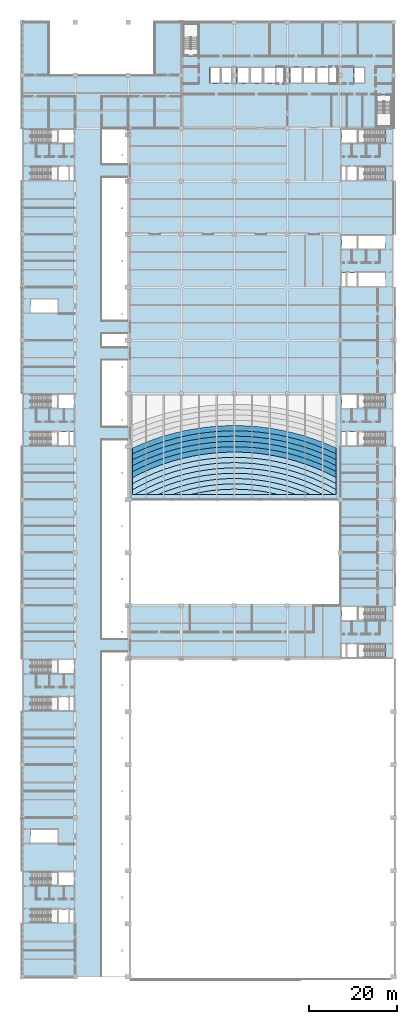
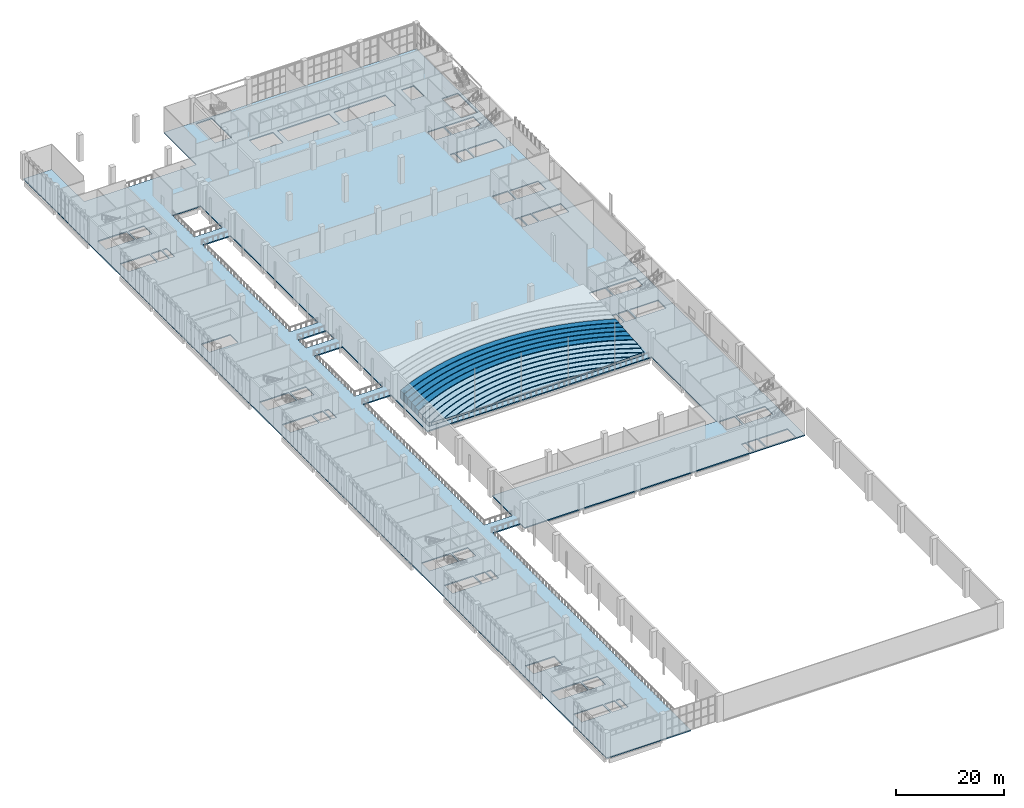
# One storey, part 44 of 72: 14 slabs.
"""IFC4 building model written with IfcOpenShell, lengths in metres."""

from ifc_helpers import new_model, si_unit, direction, frame, origin, place, context, subcontext, project, spatial, polyline, outline, extrude, material, layer, layer_set, type_object, element, save


model = new_model("IFC4")

# Units and contexts
model_context = context("Model", 3, precision=1e-05, world=origin(), true_north=direction((0.0, 1.0)))
body_context = subcontext(model_context, "Body", "Model", "MODEL_VIEW")
ifc_project = project(units=[si_unit("LENGTHUNIT", "METRE"), si_unit("AREAUNIT", "SQUARE_METRE"), si_unit("VOLUMEUNIT", "CUBIC_METRE"), si_unit("PLANEANGLEUNIT", "RADIAN"), si_unit("MASSUNIT", "GRAM", prefix="KILO")], contexts=[model_context])

# Site, building, storey
site_placement = place(None, origin())
site = spatial("IfcSite", under=ifc_project, at=site_placement, CompositionType="ELEMENT")
building_placement = place(site_placement, origin())
building = spatial("IfcBuilding", under=site, at=building_placement, Name="Lilac Gate Convention Centre", CompositionType="ELEMENT")
storey_placement = place(building_placement, frame((0.0, 0.0, 6.0)))
storey = spatial("IfcBuildingStorey", under=building, at=storey_placement, Name="L01", CompositionType="ELEMENT", Elevation=6.0)

# Slabs
ifc_material = material(Name="Concrete C40", Category="concrete")
ifc_layer_1 = layer(ifc_material, 0.25)
ifc_layer_set_1 = layer_set([ifc_layer_1], Name="Concrete C40")
slab_type_1 = type_object("IfcSlabType", Name="Floor slab 250 C40", PredefinedType="FLOOR", material=ifc_layer_set_1)
slab_1_placement = place(storey_placement, frame((0.0, 0.0, -0.25)))
element("IfcSlab", 1, at=slab_1_placement, inside=storey, type_object=slab_type_1, Name="FS2 slab L01 1", PredefinedType="FLOOR", context=body_context, shape_type="SweptSolid", body=[
    extrude(outline(polyline([(12.0, 246.0), (12.0, 234.0), (36.0, 234.0), (36.0, 246.0), (42.0, 246.0), (90.0, 246.0), (90.0, 222.0), (90.0, 198.0), (90.0, 162.0), (90.0, 114.0), (90.0, 102.0), (30.0, 102.0), (30.0, 103.5), (24.0, 103.5), (24.0, 30.0), (18.0, 30.0), (6.0, 30.0), (6.0, 222.0), (6.0, 246.0), (12.0, 246.0)]), holes=[polyline([(30.0, 138.0), (30.0, 151.5), (24.0, 151.5), (24.0, 106.5), (30.0, 106.5), (30.0, 114.0), (78.0, 114.0), (78.0, 138.0), (30.0, 138.0)]), polyline([(30.0, 154.5), (30.0, 162.0), (30.0, 169.5), (24.0, 169.5), (24.0, 154.5), (30.0, 154.5)]), polyline([(24.0, 213.89990234375), (30.0, 213.89990234375), (30.0, 222.0), (24.0, 222.0), (24.0, 213.89990234375)]), polyline([(30.0, 178.5), (30.0, 198.0), (30.0, 210.89990234375), (24.0, 210.89990234375), (24.0, 178.5), (30.0, 178.5)]), polyline([(30.0, 175.5), (24.0, 175.5), (24.0, 172.5), (30.0, 172.5), (30.0, 175.5)]), polyline([(14.0, 42.300048828125), (14.0, 45.300048828125), (7.820068359375, 45.300048828125), (7.820068359375, 42.300048828125), (14.0, 42.300048828125)]), polyline([(14.300048828125, 42.300048828125), (16.5, 42.300048828125), (16.5, 45.300048828125), (14.300048828125, 45.300048828125), (14.300048828125, 42.300048828125)]), polyline([(7.820068359375, 50.699951171875), (14.0, 50.699951171875), (14.0, 53.699951171875), (7.820068359375, 53.699951171875), (7.820068359375, 50.699951171875)]), polyline([(17.699951171875, 50.699951171875), (17.699951171875, 53.699951171875), (14.300048828125, 53.699951171875), (14.300048828125, 50.699951171875), (17.699951171875, 50.699951171875)]), polyline([(7.820068359375, 60.300048828125), (14.0, 60.300048828125), (14.0, 63.300048828125), (7.820068359375, 63.300048828125), (7.820068359375, 60.300048828125)]), polyline([(7.820068359375, 90.300048828125), (14.0, 90.300048828125), (14.0, 93.300048828125), (7.820068359375, 93.300048828125), (7.820068359375, 90.300048828125)]), polyline([(16.5, 90.300048828125), (16.5, 93.300048828125), (14.300048828125, 93.300048828125), (14.300048828125, 90.300048828125), (16.5, 90.300048828125)]), polyline([(7.820068359375, 98.699951171875), (14.0, 98.699951171875), (14.0, 101.699951171875), (7.820068359375, 101.699951171875), (7.820068359375, 98.699951171875)]), polyline([(14.300048828125, 98.699951171875), (17.699951171875, 98.699951171875), (17.699951171875, 101.699951171875), (14.300048828125, 101.699951171875), (14.300048828125, 98.699951171875)]), polyline([(7.820068359375, 150.300048828125), (14.0, 150.300048828125), (14.0, 153.300048828125), (7.820068359375, 153.300048828125), (7.820068359375, 150.300048828125)]), polyline([(14.300048828125, 150.300048828125), (16.5, 150.300048828125), (16.5, 153.300048828125), (14.300048828125, 153.300048828125), (14.300048828125, 150.300048828125)]), polyline([(14.300048828125, 158.699951171875), (17.699951171875, 158.699951171875), (17.699951171875, 161.699951171875), (14.300048828125, 161.699951171875), (14.300048828125, 158.699951171875)]), polyline([(7.820068359375, 158.699951171875), (14.0, 158.699951171875), (14.0, 161.699951171875), (7.820068359375, 161.699951171875), (7.820068359375, 158.699951171875)]), polyline([(14.0, 180.300048828125), (14.0, 183.300048828125), (7.820068359375, 183.300048828125), (7.820068359375, 180.300048828125), (14.0, 180.300048828125)]), polyline([(14.300048828125, 210.300048828125), (16.5, 210.300048828125), (16.5, 213.300048828125), (14.300048828125, 213.300048828125), (14.300048828125, 210.300048828125)]), polyline([(7.820068359375, 210.300048828125), (14.0, 210.300048828125), (14.0, 213.300048828125), (7.820068359375, 213.300048828125), (7.820068359375, 210.300048828125)]), polyline([(16.800048828125, 210.300048828125), (17.699951171875, 210.300048828125), (17.699951171875, 213.300048828125), (16.800048828125, 213.300048828125), (16.800048828125, 210.300048828125)]), polyline([(14.300048828125, 218.699951171875), (17.699951171875, 218.699951171875), (17.699951171875, 221.699951171875), (14.300048828125, 221.699951171875), (14.300048828125, 218.699951171875)]), polyline([(7.820068359375, 218.699951171875), (14.0, 218.699951171875), (14.0, 221.699951171875), (7.820068359375, 221.699951171875), (7.820068359375, 218.699951171875)]), polyline([(16.800048828125, 42.300048828125), (17.699951171875, 42.300048828125), (17.699951171875, 45.300048828125), (16.800048828125, 45.300048828125), (16.800048828125, 42.300048828125)]), polyline([(17.699951171875, 90.300048828125), (17.699951171875, 93.300048828125), (16.800048828125, 93.300048828125), (16.800048828125, 90.300048828125), (17.699951171875, 90.300048828125)]), polyline([(78.300048828125, 102.300048828125), (79.199951171875, 102.300048828125), (79.199951171875, 105.300048828125), (78.300048828125, 105.300048828125), (78.300048828125, 102.300048828125)]), polyline([(16.800048828125, 150.300048828125), (17.699951171875, 150.300048828125), (17.699951171875, 153.300048828125), (16.800048828125, 153.300048828125), (16.800048828125, 150.300048828125)]), polyline([(78.300048828125, 150.300048828125), (79.199951171875, 150.300048828125), (79.199951171875, 153.300048828125), (78.300048828125, 153.300048828125), (78.300048828125, 150.300048828125)]), polyline([(78.300048828125, 186.300048828125), (79.199951171875, 186.300048828125), (79.199951171875, 189.300048828125), (78.300048828125, 189.300048828125), (78.300048828125, 186.300048828125)]), polyline([(78.300048828125, 194.699951171875), (81.699951171875, 194.699951171875), (81.699951171875, 197.699951171875), (78.300048828125, 197.699951171875), (78.300048828125, 194.699951171875)]), polyline([(78.300048828125, 210.300048828125), (79.199951171875, 210.300048828125), (79.199951171875, 213.300048828125), (78.300048828125, 213.300048828125), (78.300048828125, 210.300048828125)]), polyline([(63.5, 235.89990234375), (60.5, 235.89990234375), (57.5, 235.89990234375), (54.5, 235.89990234375), (54.5, 232.10009765625), (57.5, 232.10009765625), (60.5, 232.10009765625), (63.5, 232.10009765625), (65.5, 232.10009765625), (65.5, 235.89990234375), (63.5, 235.89990234375)]), polyline([(75.5, 235.89990234375), (72.5, 235.89990234375), (69.5, 235.89990234375), (66.5, 235.89990234375), (66.5, 232.10009765625), (69.5, 232.10009765625), (72.5, 232.10009765625), (75.5, 232.10009765625), (77.5, 232.10009765625), (77.5, 235.89990234375), (75.5, 235.89990234375)]), polyline([(48.39990234375, 235.89990234375), (48.39990234375, 232.10009765625), (50.949951171875, 232.10009765625), (53.5, 232.10009765625), (53.5, 235.89990234375), (50.949951171875, 235.89990234375), (48.39990234375, 235.89990234375)]), polyline([(42.5, 238.300048828125), (46.0, 238.300048828125), (46.0, 245.5), (42.5, 245.5), (42.5, 238.300048828125)]), polyline([(79.5, 102.300048828125), (81.699951171875, 102.300048828125), (81.699951171875, 105.300048828125), (79.5, 105.300048828125), (79.5, 102.300048828125)]), polyline([(82.0, 102.300048828125), (88.179931640625, 102.300048828125), (88.179931640625, 105.300048828125), (82.0, 105.300048828125), (82.0, 102.300048828125)]), polyline([(78.300048828125, 110.699951171875), (81.699951171875, 110.699951171875), (81.699951171875, 113.699951171875), (78.300048828125, 113.699951171875), (78.300048828125, 110.699951171875)]), polyline([(88.179931640625, 110.699951171875), (88.179931640625, 113.699951171875), (82.0, 113.699951171875), (82.0, 110.699951171875), (88.179931640625, 110.699951171875)]), polyline([(79.5, 150.300048828125), (81.699951171875, 150.300048828125), (81.699951171875, 153.300048828125), (79.5, 153.300048828125), (79.5, 150.300048828125)]), polyline([(82.0, 150.300048828125), (88.179931640625, 150.300048828125), (88.179931640625, 153.300048828125), (82.0, 153.300048828125), (82.0, 150.300048828125)]), polyline([(78.300048828125, 158.699951171875), (81.699951171875, 158.699951171875), (81.699951171875, 161.699951171875), (78.300048828125, 161.699951171875), (78.300048828125, 158.699951171875)]), polyline([(82.0, 158.699951171875), (88.179931640625, 158.699951171875), (88.179931640625, 161.699951171875), (82.0, 161.699951171875), (82.0, 158.699951171875)]), polyline([(79.5, 186.300048828125), (81.699951171875, 186.300048828125), (81.699951171875, 189.300048828125), (79.5, 189.300048828125), (79.5, 186.300048828125)]), polyline([(82.0, 186.300048828125), (88.179931640625, 186.300048828125), (88.179931640625, 189.300048828125), (82.0, 189.300048828125), (82.0, 186.300048828125)]), polyline([(88.179931640625, 194.699951171875), (88.179931640625, 197.699951171875), (82.0, 197.699951171875), (82.0, 194.699951171875), (88.179931640625, 194.699951171875)]), polyline([(79.5, 210.300048828125), (81.699951171875, 210.300048828125), (81.699951171875, 213.300048828125), (79.5, 213.300048828125), (79.5, 210.300048828125)]), polyline([(82.0, 210.300048828125), (88.179931640625, 210.300048828125), (88.179931640625, 213.300048828125), (82.0, 213.300048828125), (82.0, 210.300048828125)]), polyline([(78.300048828125, 218.699951171875), (81.699951171875, 218.699951171875), (81.699951171875, 221.699951171875), (78.300048828125, 221.699951171875), (78.300048828125, 218.699951171875)]), polyline([(82.0, 218.699951171875), (88.179931640625, 218.699951171875), (88.179931640625, 221.699951171875), (82.0, 221.699951171875), (82.0, 218.699951171875)]), polyline([(86.0, 222.5), (89.5, 222.5), (89.5, 229.699951171875), (86.0, 229.699951171875), (86.0, 222.5)]), polyline([(81.0, 232.10009765625), (83.60009765625, 232.10009765625), (83.60009765625, 235.89990234375), (81.0, 235.89990234375), (81.0, 232.10009765625)])]), origin(), (0.0, 0.0, 1.0), 0.25),
])
ifc_layer_2 = layer(ifc_material, 0.300048828125)
ifc_layer_set_2 = layer_set([ifc_layer_2], Name="Concrete C40")
slab_type_2 = type_object("IfcSlabType", Name="Seating tier 300 C40", PredefinedType="USERDEFINED", material=ifc_layer_set_2)
slab_2_placement = place(storey_placement, origin())
element("IfcSlab", 2, at=slab_2_placement, inside=storey, type_object=slab_type_2, Name="TS1 Stand Circle row 1", ObjectType="SEATING TIER", PredefinedType="USERDEFINED", context=body_context, shape_type="SweptSolid", body=[
    extrude(outline(polyline([(46.1279296875, 139.574951171875), (48.0791015625, 139.9130859375), (50.044921875, 140.156005859375), (52.02001953125, 140.301025390625), (54.0, 140.35009765625), (55.97998046875, 140.301025390625), (57.955078125, 140.156005859375), (59.9208984375, 139.9130859375), (61.8720703125, 139.574951171875), (63.762939453125, 139.14990234375), (54.0, 139.14990234375), (44.237060546875, 139.14990234375), (46.1279296875, 139.574951171875)])), origin(), (0.0, 0.0, 1.0), 0.139892578125),
])
slab_3_placement = place(storey_placement, origin())
element("IfcSlab", 3, at=slab_3_placement, inside=storey, type_object=slab_type_2, Name="TS1 Stand Circle row 2", ObjectType="SEATING TIER", PredefinedType="USERDEFINED", context=body_context, shape_type="SweptSolid", body=[
    extrude(outline(polyline([(41.93896484375, 139.760986328125), (43.904052734375, 140.304931640625), (45.89404296875, 140.751953125), (47.903076171875, 141.10009765625), (49.927001953125, 141.35009765625), (51.9609375, 141.5), (54.0, 141.550048828125), (56.0390625, 141.5), (58.072998046875, 141.35009765625), (60.096923828125, 141.10009765625), (62.10595703125, 140.751953125), (64.095947265625, 140.304931640625), (66.06103515625, 139.760986328125), (67.909912109375, 139.14990234375), (63.762939453125, 139.14990234375), (61.8720703125, 139.574951171875), (59.9208984375, 139.9130859375), (57.955078125, 140.156005859375), (55.97998046875, 140.301025390625), (54.0, 140.35009765625), (52.02001953125, 140.301025390625), (50.044921875, 140.156005859375), (48.0791015625, 139.9130859375), (46.1279296875, 139.574951171875), (44.237060546875, 139.14990234375), (40.090087890625, 139.14990234375), (41.93896484375, 139.760986328125)])), origin(), (0.0, 0.0, 1.0), 0.280029296875),
])
slab_4_placement = place(storey_placement, origin())
element("IfcSlab", 4, at=slab_4_placement, inside=storey, type_object=slab_type_2, Name="TS1 Stand Circle row 3", ObjectType="SEATING TIER", PredefinedType="USERDEFINED", context=body_context, shape_type="SweptSolid", body=[
    extrude(outline(polyline([(37.639892578125, 139.49609375), (39.597900390625, 140.2509765625), (41.590087890625, 140.908935546875), (43.613037109375, 141.468994140625), (45.659912109375, 141.928955078125), (47.72705078125, 142.287109375), (49.81005859375, 142.5439453125), (51.902099609375, 142.698974609375), (54.0, 142.75), (56.097900390625, 142.698974609375), (58.18994140625, 142.5439453125), (60.27294921875, 142.287109375), (62.340087890625, 141.928955078125), (64.386962890625, 141.468994140625), (66.409912109375, 140.908935546875), (68.402099609375, 140.2509765625), (70.360107421875, 139.49609375), (71.139892578125, 139.14990234375), (67.909912109375, 139.14990234375), (66.06103515625, 139.760986328125), (64.095947265625, 140.304931640625), (62.10595703125, 140.751953125), (60.096923828125, 141.10009765625), (58.072998046875, 141.35009765625), (56.0390625, 141.5), (54.0, 141.550048828125), (51.9609375, 141.5), (49.927001953125, 141.35009765625), (47.903076171875, 141.10009765625), (45.89404296875, 140.751953125), (43.904052734375, 140.304931640625), (41.93896484375, 139.760986328125), (40.090087890625, 139.14990234375), (36.860107421875, 139.14990234375), (37.639892578125, 139.49609375)])), origin(), (0.0, 0.0, 1.0), 0.419921875),
])
slab_5_placement = place(storey_placement, origin())
element("IfcSlab", 5, at=slab_5_placement, inside=storey, type_object=slab_type_2, Name="TS1 Stand Circle row 4", ObjectType="SEATING TIER", PredefinedType="USERDEFINED", context=body_context, shape_type="SweptSolid", body=[
    extrude(outline(polyline([(35.208984375, 139.72998046875), (37.180908203125, 140.60498046875), (39.194091796875, 141.381103515625), (41.241943359375, 142.05810546875), (43.321044921875, 142.633056640625), (45.426025390625, 143.10595703125), (47.551025390625, 143.47412109375), (49.69189453125, 143.738037109375), (51.843017578125, 143.89697265625), (54.0, 143.949951171875), (56.156982421875, 143.89697265625), (58.30810546875, 143.738037109375), (60.448974609375, 143.47412109375), (62.573974609375, 143.10595703125), (64.678955078125, 142.633056640625), (66.758056640625, 142.05810546875), (68.805908203125, 141.381103515625), (70.819091796875, 140.60498046875), (72.791015625, 139.72998046875), (73.944091796875, 139.14990234375), (71.139892578125, 139.14990234375), (70.360107421875, 139.49609375), (68.402099609375, 140.2509765625), (66.409912109375, 140.908935546875), (64.386962890625, 141.468994140625), (62.340087890625, 141.928955078125), (60.27294921875, 142.287109375), (58.18994140625, 142.5439453125), (56.097900390625, 142.698974609375), (54.0, 142.75), (51.902099609375, 142.698974609375), (49.81005859375, 142.5439453125), (47.72705078125, 142.287109375), (45.659912109375, 141.928955078125), (43.613037109375, 141.468994140625), (41.590087890625, 140.908935546875), (39.597900390625, 140.2509765625), (37.639892578125, 139.49609375), (36.860107421875, 139.14990234375), (34.055908203125, 139.14990234375), (35.208984375, 139.72998046875)])), origin(), (0.0, 0.0, 1.0), 0.56005859375),
])
slab_6_placement = place(storey_placement, origin())
element("IfcSlab", 6, at=slab_6_placement, inside=storey, type_object=slab_type_2, Name="TS1 Stand Circle row 5", ObjectType="SEATING TIER", PredefinedType="USERDEFINED", context=body_context, shape_type="SweptSolid", body=[
    extrude(outline(polyline([(32.716064453125, 139.819091796875), (34.696044921875, 140.81494140625), (36.721923828125, 141.712890625), (38.7890625, 142.510986328125), (40.89404296875, 143.2060546875), (43.029052734375, 143.797119140625), (45.19189453125, 144.281982421875), (47.375, 144.660888671875), (49.574951171875, 144.93310546875), (51.784912109375, 145.095947265625), (54.0, 145.14990234375), (56.215087890625, 145.095947265625), (58.425048828125, 144.93310546875), (60.625, 144.660888671875), (62.80810546875, 144.281982421875), (64.970947265625, 143.797119140625), (67.10595703125, 143.2060546875), (69.2109375, 142.510986328125), (71.278076171875, 141.712890625), (73.303955078125, 140.81494140625), (75.283935546875, 139.819091796875), (76.464111328125, 139.14990234375), (73.944091796875, 139.14990234375), (72.791015625, 139.72998046875), (70.819091796875, 140.60498046875), (68.805908203125, 141.381103515625), (66.758056640625, 142.05810546875), (64.678955078125, 142.633056640625), (62.573974609375, 143.10595703125), (60.448974609375, 143.47412109375), (58.30810546875, 143.738037109375), (56.156982421875, 143.89697265625), (54.0, 143.949951171875), (51.843017578125, 143.89697265625), (49.69189453125, 143.738037109375), (47.551025390625, 143.47412109375), (45.426025390625, 143.10595703125), (43.321044921875, 142.633056640625), (41.241943359375, 142.05810546875), (39.194091796875, 141.381103515625), (37.180908203125, 140.60498046875), (35.208984375, 139.72998046875), (34.055908203125, 139.14990234375), (31.535888671875, 139.14990234375), (32.716064453125, 139.819091796875)])), origin(), (0.0, 0.0, 1.0), 0.699951171875),
])
slab_7_placement = place(storey_placement, origin())
element("IfcSlab", 7, at=slab_7_placement, inside=storey, type_object=slab_type_2, Name="TS1 Stand Circle row 6", ObjectType="SEATING TIER", PredefinedType="USERDEFINED", context=body_context, shape_type="SweptSolid", body=[
    extrude(outline(polyline([(32.15087890625, 140.876953125), (34.18310546875, 141.89990234375), (36.262939453125, 142.822021484375), (38.385009765625, 143.64111328125), (40.544921875, 144.35400390625), (42.738037109375, 144.9609375), (44.9580078125, 145.458984375), (47.198974609375, 145.847900390625), (49.45703125, 146.126953125), (51.72607421875, 146.2939453125), (54.0, 146.35009765625), (56.27392578125, 146.2939453125), (58.54296875, 146.126953125), (60.801025390625, 145.847900390625), (63.0419921875, 145.458984375), (65.261962890625, 144.9609375), (67.455078125, 144.35400390625), (69.614990234375, 143.64111328125), (71.737060546875, 142.822021484375), (73.81689453125, 141.89990234375), (75.84912109375, 140.876953125), (77.0, 140.22509765625), (77.0, 139.14990234375), (76.464111328125, 139.14990234375), (75.283935546875, 139.819091796875), (73.303955078125, 140.81494140625), (71.278076171875, 141.712890625), (69.2109375, 142.510986328125), (67.10595703125, 143.2060546875), (64.970947265625, 143.797119140625), (62.80810546875, 144.281982421875), (60.625, 144.660888671875), (58.425048828125, 144.93310546875), (56.215087890625, 145.095947265625), (54.0, 145.14990234375), (51.784912109375, 145.095947265625), (49.574951171875, 144.93310546875), (47.375, 144.660888671875), (45.19189453125, 144.281982421875), (43.029052734375, 143.797119140625), (40.89404296875, 143.2060546875), (38.7890625, 142.510986328125), (36.721923828125, 141.712890625), (34.696044921875, 140.81494140625), (32.716064453125, 139.819091796875), (31.535888671875, 139.14990234375), (31.0, 139.14990234375), (31.0, 140.22509765625), (32.15087890625, 140.876953125)])), origin(), (0.0, 0.0, 1.0), 0.840087890625),
])
slab_8_placement = place(storey_placement, origin())
element("IfcSlab", 8, at=slab_8_placement, inside=storey, type_object=slab_type_2, Name="TS1 Stand Circle row 7", ObjectType="SEATING TIER", PredefinedType="USERDEFINED", context=body_context, shape_type="SweptSolid", body=[
    extrude(outline(polyline([(31.5849609375, 141.93505859375), (33.669921875, 142.985107421875), (35.802978515625, 143.929931640625), (37.98095703125, 144.77001953125), (40.197021484375, 145.5029296875), (42.446044921875, 146.125), (44.722900390625, 146.635986328125), (47.02294921875, 147.034912109375), (49.339111328125, 147.321044921875), (51.6669921875, 147.492919921875), (54.0, 147.550048828125), (56.3330078125, 147.492919921875), (58.660888671875, 147.321044921875), (60.97705078125, 147.034912109375), (63.277099609375, 146.635986328125), (65.553955078125, 146.125), (67.802978515625, 145.5029296875), (70.01904296875, 144.77001953125), (72.197021484375, 143.929931640625), (74.330078125, 142.985107421875), (76.4150390625, 141.93505859375), (77.0, 141.60400390625), (77.0, 140.22509765625), (75.84912109375, 140.876953125), (73.81689453125, 141.89990234375), (71.737060546875, 142.822021484375), (69.614990234375, 143.64111328125), (67.455078125, 144.35400390625), (65.261962890625, 144.9609375), (63.0419921875, 145.458984375), (60.801025390625, 145.847900390625), (58.54296875, 146.126953125), (56.27392578125, 146.2939453125), (54.0, 146.35009765625), (51.72607421875, 146.2939453125), (49.45703125, 146.126953125), (47.198974609375, 145.847900390625), (44.9580078125, 145.458984375), (42.738037109375, 144.9609375), (40.544921875, 144.35400390625), (38.385009765625, 143.64111328125), (36.262939453125, 142.822021484375), (34.18310546875, 141.89990234375), (32.15087890625, 140.876953125), (31.0, 140.22509765625), (31.0, 141.60400390625), (31.5849609375, 141.93505859375)])), origin(), (0.0, 0.0, 1.0), 0.97998046875),
])
slab_9_placement = place(storey_placement, origin())
element("IfcSlab", 9, at=slab_9_placement, inside=storey, type_object=slab_type_2, Name="TS1 Stand Circle row 8", ObjectType="SEATING TIER", PredefinedType="USERDEFINED", context=body_context, shape_type="SweptSolid", body=[
    extrude(outline(polyline([(31.01904296875, 142.993896484375), (33.156982421875, 144.069091796875), (35.343994140625, 145.0390625), (37.576904296875, 145.89990234375), (39.84912109375, 146.65087890625), (42.155029296875, 147.2890625), (44.489013671875, 147.81298828125), (46.846923828125, 148.221923828125), (49.221923828125, 148.514892578125), (51.60791015625, 148.69091796875), (54.0, 148.75), (56.39208984375, 148.69091796875), (58.778076171875, 148.514892578125), (61.153076171875, 148.221923828125), (63.510986328125, 147.81298828125), (65.844970703125, 147.2890625), (68.15087890625, 146.65087890625), (70.423095703125, 145.89990234375), (72.656005859375, 145.0390625), (74.843017578125, 144.069091796875), (76.98095703125, 142.993896484375), (77.0, 142.98291015625), (77.0, 141.60400390625), (76.4150390625, 141.93505859375), (74.330078125, 142.985107421875), (72.197021484375, 143.929931640625), (70.01904296875, 144.77001953125), (67.802978515625, 145.5029296875), (65.553955078125, 146.125), (63.277099609375, 146.635986328125), (60.97705078125, 147.034912109375), (58.660888671875, 147.321044921875), (56.3330078125, 147.492919921875), (54.0, 147.550048828125), (51.6669921875, 147.492919921875), (49.339111328125, 147.321044921875), (47.02294921875, 147.034912109375), (44.722900390625, 146.635986328125), (42.446044921875, 146.125), (40.197021484375, 145.5029296875), (37.98095703125, 144.77001953125), (35.802978515625, 143.929931640625), (33.669921875, 142.985107421875), (31.5849609375, 141.93505859375), (31.0, 141.60400390625), (31.0, 142.98291015625), (31.01904296875, 142.993896484375)])), origin(), (0.0, 0.0, 1.0), 1.1201171875),
])
slab_10_placement = place(storey_placement, origin())
element("IfcSlab", 10, at=slab_10_placement, inside=storey, type_object=slab_type_2, Name="TS1 Stand Circle row 9", ObjectType="SEATING TIER", PredefinedType="USERDEFINED", context=body_context, shape_type="SweptSolid", body=[
    extrude(outline(polyline([(32.64404296875, 145.154052734375), (34.885009765625, 146.14794921875), (37.172119140625, 147.030029296875), (39.5, 147.799072265625), (41.863037109375, 148.452880859375), (44.2548828125, 148.989990234375), (46.6708984375, 149.408935546875), (49.10400390625, 149.708984375), (51.549072265625, 149.889892578125), (54.0, 149.949951171875), (56.450927734375, 149.889892578125), (58.89599609375, 149.708984375), (61.3291015625, 149.408935546875), (63.7451171875, 148.989990234375), (66.136962890625, 148.452880859375), (68.5, 147.799072265625), (70.827880859375, 147.030029296875), (73.114990234375, 146.14794921875), (75.35595703125, 145.154052734375), (77.0, 144.326904296875), (77.0, 142.98291015625), (76.98095703125, 142.993896484375), (74.843017578125, 144.069091796875), (72.656005859375, 145.0390625), (70.423095703125, 145.89990234375), (68.15087890625, 146.65087890625), (65.844970703125, 147.2890625), (63.510986328125, 147.81298828125), (61.153076171875, 148.221923828125), (58.778076171875, 148.514892578125), (56.39208984375, 148.69091796875), (54.0, 148.75), (51.60791015625, 148.69091796875), (49.221923828125, 148.514892578125), (46.846923828125, 148.221923828125), (44.489013671875, 147.81298828125), (42.155029296875, 147.2890625), (39.84912109375, 146.65087890625), (37.576904296875, 145.89990234375), (35.343994140625, 145.0390625), (33.156982421875, 144.069091796875), (31.01904296875, 142.993896484375), (31.0, 142.98291015625), (31.0, 144.326904296875), (32.64404296875, 145.154052734375)])), origin(), (0.0, 0.0, 1.0), 1.260009765625),
])
slab_11_placement = place(storey_placement, origin())
element("IfcSlab", 11, at=slab_11_placement, inside=storey, type_object=slab_type_2, Name="TS1 Stand Circle row 10", ObjectType="SEATING TIER", PredefinedType="USERDEFINED", context=body_context, shape_type="SweptSolid", body=[
    extrude(outline(polyline([(32.131103515625, 146.239013671875), (34.426025390625, 147.256103515625), (36.76806640625, 148.159912109375), (39.152099609375, 148.947021484375), (41.572021484375, 149.616943359375), (44.02099609375, 150.1669921875), (46.4951171875, 150.595947265625), (48.986083984375, 150.904052734375), (51.489990234375, 151.087890625), (54.0, 151.14990234375), (56.510009765625, 151.087890625), (59.013916015625, 150.904052734375), (61.5048828125, 150.595947265625), (63.97900390625, 150.1669921875), (66.427978515625, 149.616943359375), (68.847900390625, 148.947021484375), (71.23193359375, 148.159912109375), (73.573974609375, 147.256103515625), (75.868896484375, 146.239013671875), (77.0, 145.669921875), (77.0, 144.326904296875), (75.35595703125, 145.154052734375), (73.114990234375, 146.14794921875), (70.827880859375, 147.030029296875), (68.5, 147.799072265625), (66.136962890625, 148.452880859375), (63.7451171875, 148.989990234375), (61.3291015625, 149.408935546875), (58.89599609375, 149.708984375), (56.450927734375, 149.889892578125), (54.0, 149.949951171875), (51.549072265625, 149.889892578125), (49.10400390625, 149.708984375), (46.6708984375, 149.408935546875), (44.2548828125, 148.989990234375), (41.863037109375, 148.452880859375), (39.5, 147.799072265625), (37.172119140625, 147.030029296875), (34.885009765625, 146.14794921875), (32.64404296875, 145.154052734375), (31.0, 144.326904296875), (31.0, 145.669921875), (32.131103515625, 146.239013671875)])), origin(), (0.0, 0.0, 1.0), 1.39990234375),
])
slab_12_placement = place(storey_placement, origin())
element("IfcSlab", 12, at=slab_12_placement, inside=storey, type_object=slab_type_2, Name="TS1 Stand Circle row 11", ObjectType="SEATING TIER", PredefinedType="USERDEFINED", context=body_context, shape_type="SweptSolid", body=[
    extrude(outline(polyline([(31.616943359375, 147.323974609375), (33.967041015625, 148.364990234375), (36.364013671875, 149.2900390625), (38.803955078125, 150.095947265625), (41.280029296875, 150.781005859375), (43.787109375, 151.343994140625), (46.319091796875, 151.782958984375), (48.868896484375, 152.097900390625), (51.430908203125, 152.287109375), (54.0, 152.35009765625), (56.569091796875, 152.287109375), (59.131103515625, 152.097900390625), (61.680908203125, 151.782958984375), (64.212890625, 151.343994140625), (66.719970703125, 150.781005859375), (69.196044921875, 150.095947265625), (71.635986328125, 149.2900390625), (74.032958984375, 148.364990234375), (76.383056640625, 147.323974609375), (77.0, 147.012939453125), (77.0, 145.669921875), (75.868896484375, 146.239013671875), (73.573974609375, 147.256103515625), (71.23193359375, 148.159912109375), (68.847900390625, 148.947021484375), (66.427978515625, 149.616943359375), (63.97900390625, 150.1669921875), (61.5048828125, 150.595947265625), (59.013916015625, 150.904052734375), (56.510009765625, 151.087890625), (54.0, 151.14990234375), (51.489990234375, 151.087890625), (48.986083984375, 150.904052734375), (46.4951171875, 150.595947265625), (44.02099609375, 150.1669921875), (41.572021484375, 149.616943359375), (39.152099609375, 148.947021484375), (36.76806640625, 148.159912109375), (34.426025390625, 147.256103515625), (32.131103515625, 146.239013671875), (31.0, 145.669921875), (31.0, 147.012939453125), (31.616943359375, 147.323974609375)])), origin(), (0.0, 0.0, 1.0), 1.5400390625),
])
slab_13_placement = place(storey_placement, origin())
element("IfcSlab", 13, at=slab_13_placement, inside=storey, type_object=slab_type_2, Name="TS1 Stand Circle row 12", ObjectType="SEATING TIER", PredefinedType="USERDEFINED", context=body_context, shape_type="SweptSolid", body=[
    extrude(outline(polyline([(31.10400390625, 148.408935546875), (33.507080078125, 149.47412109375), (35.9599609375, 150.419921875), (38.455078125, 151.243896484375), (40.988037109375, 151.945068359375), (43.552978515625, 152.52099609375), (46.14306640625, 152.969970703125), (48.7509765625, 153.2919921875), (51.3720703125, 153.485107421875), (54.0, 153.550048828125), (56.6279296875, 153.485107421875), (59.2490234375, 153.2919921875), (61.85693359375, 152.969970703125), (64.447021484375, 152.52099609375), (67.011962890625, 151.945068359375), (69.544921875, 151.243896484375), (72.0400390625, 150.419921875), (74.492919921875, 149.47412109375), (76.89599609375, 148.408935546875), (77.0, 148.35595703125), (77.0, 147.012939453125), (76.383056640625, 147.323974609375), (74.032958984375, 148.364990234375), (71.635986328125, 149.2900390625), (69.196044921875, 150.095947265625), (66.719970703125, 150.781005859375), (64.212890625, 151.343994140625), (61.680908203125, 151.782958984375), (59.131103515625, 152.097900390625), (56.569091796875, 152.287109375), (54.0, 152.35009765625), (51.430908203125, 152.287109375), (48.868896484375, 152.097900390625), (46.319091796875, 151.782958984375), (43.787109375, 151.343994140625), (41.280029296875, 150.781005859375), (38.803955078125, 150.095947265625), (36.364013671875, 149.2900390625), (33.967041015625, 148.364990234375), (31.616943359375, 147.323974609375), (31.0, 147.012939453125), (31.0, 148.35595703125), (31.10400390625, 148.408935546875)])), origin(), (0.0, 0.0, 1.0), 1.679931640625),
])
slab_14_placement = place(storey_placement, origin())
element("IfcSlab", 14, at=slab_14_placement, inside=storey, type_object=slab_type_2, Name="TS1 Stand Circle row 13", ObjectType="SEATING TIER", PredefinedType="USERDEFINED", context=body_context, shape_type="SweptSolid", body=[
    extrude(outline(polyline([(33.048095703125, 150.58203125), (35.554931640625, 151.550048828125), (38.10693359375, 152.39208984375), (40.697021484375, 153.10888671875), (43.319091796875, 153.697998046875), (45.967041015625, 154.156982421875), (48.634033203125, 154.486083984375), (51.31396484375, 154.68408203125), (54.0, 154.75), (56.68603515625, 154.68408203125), (59.365966796875, 154.486083984375), (62.032958984375, 154.156982421875), (64.680908203125, 153.697998046875), (67.302978515625, 153.10888671875), (69.89306640625, 152.39208984375), (72.445068359375, 151.550048828125), (74.951904296875, 150.58203125), (77.0, 149.675048828125), (77.0, 148.35595703125), (76.89599609375, 148.408935546875), (74.492919921875, 149.47412109375), (72.0400390625, 150.419921875), (69.544921875, 151.243896484375), (67.011962890625, 151.945068359375), (64.447021484375, 152.52099609375), (61.85693359375, 152.969970703125), (59.2490234375, 153.2919921875), (56.6279296875, 153.485107421875), (54.0, 153.550048828125), (51.3720703125, 153.485107421875), (48.7509765625, 153.2919921875), (46.14306640625, 152.969970703125), (43.552978515625, 152.52099609375), (40.988037109375, 151.945068359375), (38.455078125, 151.243896484375), (35.9599609375, 150.419921875), (33.507080078125, 149.47412109375), (31.10400390625, 148.408935546875), (31.0, 148.35595703125), (31.0, 149.675048828125), (33.048095703125, 150.58203125)])), origin(), (0.0, 0.0, 1.0), 1.820068359375),
])

save(model, "model.ifc")
